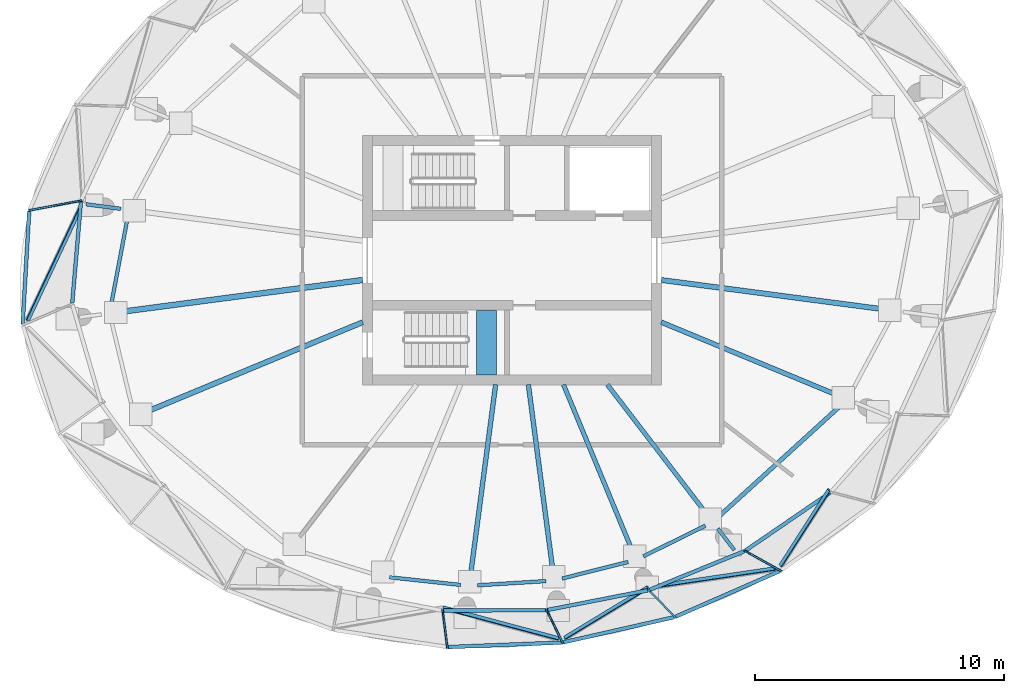
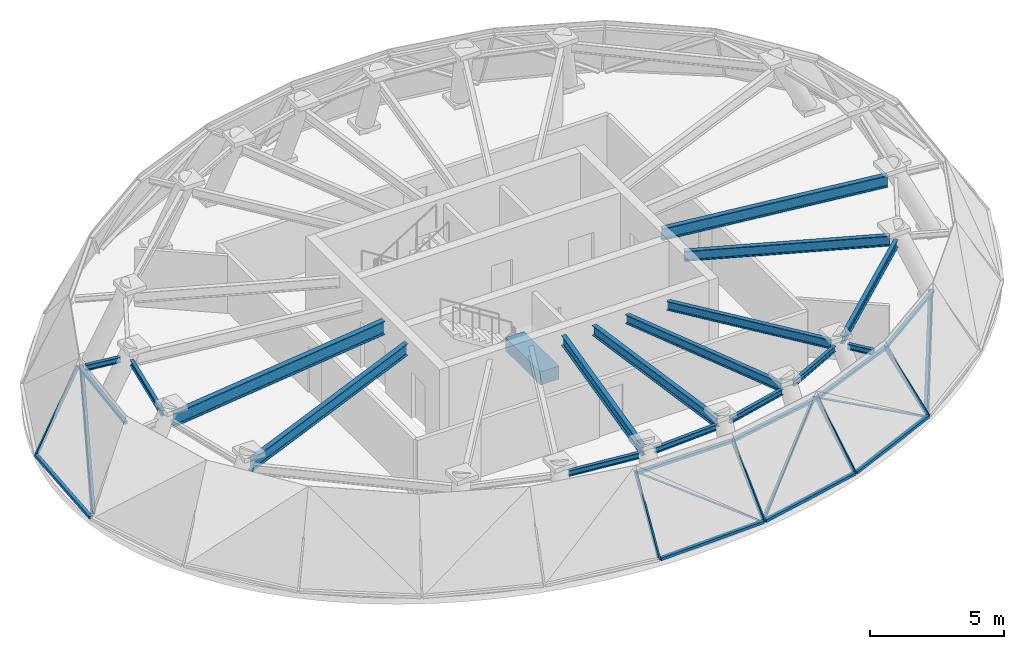
# One storey, part 2 of 9: 19 members, 17 beams, 10 elements without a shape of their own.
"""IFC4 building model written with IfcOpenShell, lengths in metres."""

from ifc_helpers import new_model, si_unit, direction, frame, origin, origin_2d, place, context, subcontext, project, spatial, rectangle, i_section, extrude, source, transform, mapped, material, layer, layer_set, material_profile, profile_set, type_object, element, aggregate, save


model = new_model("IFC4")

# Units and contexts
model_context = context("Model", 3, precision=1e-05, world=origin(), true_north=direction((0.0, 1.0)))
body_context = subcontext(model_context, "Body", "Model", "MODEL_VIEW")
ifc_project = project(units=[si_unit("LENGTHUNIT", "METRE"), si_unit("AREAUNIT", "SQUARE_METRE"), si_unit("VOLUMEUNIT", "CUBIC_METRE"), si_unit("PLANEANGLEUNIT", "RADIAN"), si_unit("MASSUNIT", "GRAM", prefix="KILO")], contexts=[model_context])

# Site, building, storey
site_placement = place(None, origin())
site = spatial("IfcSite", under=ifc_project, at=site_placement, CompositionType="ELEMENT")
building_placement = place(site_placement, origin())
building = spatial("IfcBuilding", under=site, at=building_placement, Name="Spindrift Exchange Tower", CompositionType="ELEMENT")
storey_placement = place(building_placement, frame((0.0, 0.0, 273.10009765625)))
storey = spatial("IfcBuildingStorey", under=building, at=storey_placement, Name="L67", CompositionType="ELEMENT", Elevation=273.10009765625)

# Beams
ifc_material_1 = material(Name="Steel Grade 300", Category="steel")
ifc_material_profile_1 = material_profile(ifc_material_1, i_section(OverallWidth=0.22802734375, OverallDepth=0.60693359375, WebThickness=0.01123046875, FlangeThickness=0.017333984375, FilletRadius=0.013916015625, at=origin_2d()), Name="610UB113")
ifc_profile_set_1 = profile_set([ifc_material_profile_1], Name="Steel Grade 300")
beam_type_1 = type_object("IfcBeamType", Name="Floor Beam 610UB113 Steel Grade 300", PredefinedType="BEAM", material=ifc_profile_set_1)
shared_shape_1 = source(origin(), body_context, "Body", "SweptSolid", [
    extrude(i_section(OverallWidth=0.22802734375, OverallDepth=0.60693359375, WebThickness=0.01123046875, FlangeThickness=0.017333984375, FilletRadius=0.013916015625, at=origin_2d()), origin(), (0.0, 0.0, 1.0), 9.9091796875),
])
beam_1_placement = place(storey_placement, frame((46.019775390625, 47.212646484375, 2.91650390625), z_axis=(-0.991444313465, -0.130530353936, 0.0), x_axis=(0.130530353936, -0.991444313465, 0.0)))
element("IfcBeam", 1, at=beam_1_placement, inside=storey, type_object=beam_type_1, Name="L67 radial beam R13A", PredefinedType="BEAM", context=body_context, shape_type="MappedRepresentation", body=[
    mapped(shared_shape_1, transform((0.0, 0.0, 0.0), scale=1.0)),
])
ifc_material_profile_2 = material_profile(ifc_material_1, i_section(OverallWidth=0.208984375, OverallDepth=0.532958984375, WebThickness=0.01025390625, FlangeThickness=0.015625, FilletRadius=0.013916015625, at=origin_2d()), Name="530UB92.4")
ifc_profile_set_2 = profile_set([ifc_material_profile_2], Name="Steel Grade 300")
beam_type_2 = type_object("IfcBeamType", Name="Floor Beam 530UB92.4 Steel Grade 300", PredefinedType="BEAM", material=ifc_profile_set_2)
shared_shape_2 = source(origin(), body_context, "Body", "SweptSolid", [
    extrude(i_section(OverallWidth=0.208984375, OverallDepth=0.532958984375, WebThickness=0.01025390625, FlangeThickness=0.015625, FilletRadius=0.013916015625, at=origin_2d()), origin(), (0.0, 0.0, 1.0), 9.5791015625),
])
beam_2_placement = place(storey_placement, frame((46.0185546875, 45.5224609375, 2.953369140625), z_axis=(-0.923877977405, -0.382687186701, 0.0), x_axis=(0.382687186701, -0.923877977405, 0.0)))
element("IfcBeam", 2, at=beam_2_placement, inside=storey, type_object=beam_type_2, Name="L67 radial beam R14A", PredefinedType="BEAM", context=body_context, shape_type="MappedRepresentation", body=[
    mapped(shared_shape_2, transform((0.0, 0.0, 0.0), scale=1.0)),
])
ifc_material_profile_3 = material_profile(ifc_material_1, i_section(OverallWidth=0.18994140625, OverallDepth=0.45703125, WebThickness=0.009033203125, FlangeThickness=0.014404296875, FilletRadius=0.013916015625, at=origin_2d()), Name="460UB74.6")
ifc_profile_set_3 = profile_set([ifc_material_profile_3], Name="Steel Grade 300")
beam_type_3 = type_object("IfcBeamType", Name="Floor Beam 460UB74.6 Steel Grade 300", PredefinedType="BEAM", material=ifc_profile_set_3)
shared_shape_3 = source(origin(), body_context, "Body", "SweptSolid", [
    extrude(i_section(OverallWidth=0.18994140625, OverallDepth=0.45703125, WebThickness=0.009033203125, FlangeThickness=0.014404296875, FilletRadius=0.013916015625, at=origin_2d()), origin(), (0.0, 0.0, 1.0), 7.80615234375),
])
beam_3_placement = place(storey_placement, frame((51.34423828125, 43.019775390625, 2.991455078125), z_axis=(-0.130510334624, -0.991446948937, 0.0), x_axis=(0.991446948937, -0.130510334624, 0.0)))
element("IfcBeam", 3, at=beam_3_placement, inside=storey, type_object=beam_type_3, Name="L67 radial beam R18A", PredefinedType="BEAM", context=body_context, shape_type="MappedRepresentation", body=[
    mapped(shared_shape_3, transform((0.0, 0.0, 0.0), scale=1.0)),
])
shared_shape_4 = source(origin(), body_context, "Body", "SweptSolid", [
    extrude(i_section(OverallWidth=0.18994140625, OverallDepth=0.45703125, WebThickness=0.009033203125, FlangeThickness=0.014404296875, FilletRadius=0.013916015625, at=origin_2d()), origin(), (0.0, 0.0, 1.0), 7.59326171875),
])
beam_4_placement = place(storey_placement, frame((52.65576171875, 43.019775390625, 2.991455078125), z_axis=(0.130506078601, -0.991447509174, 0.0), x_axis=(0.991447509174, 0.130506078601, 0.0)))
element("IfcBeam", 4, at=beam_4_placement, inside=storey, type_object=beam_type_3, Name="L67 radial beam R19A", PredefinedType="BEAM", context=body_context, shape_type="MappedRepresentation", body=[
    mapped(shared_shape_4, transform((0.0, 0.0, 0.0), scale=1.0)),
])
ifc_material_profile_4 = material_profile(ifc_material_1, i_section(OverallWidth=0.177978515625, OverallDepth=0.406005859375, WebThickness=0.0078125, FlangeThickness=0.0126953125, FilletRadius=0.013916015625, at=origin_2d()), Name="410UB59.7")
ifc_profile_set_4 = profile_set([ifc_material_profile_4], Name="Steel Grade 300")
beam_type_4 = type_object("IfcBeamType", Name="Floor Beam 410UB59.7 Steel Grade 300", PredefinedType="BEAM", material=ifc_profile_set_4)
shared_shape_5 = source(origin(), body_context, "Body", "SweptSolid", [
    extrude(i_section(OverallWidth=0.177978515625, OverallDepth=0.406005859375, WebThickness=0.0078125, FlangeThickness=0.0126953125, FilletRadius=0.013916015625, at=origin_2d()), origin(), (0.0, 0.0, 1.0), 7.2744140625),
])
beam_5_placement = place(storey_placement, frame((54.0634765625, 43.0185546875, 3.016845703125), z_axis=(0.382669941322, -0.923885120569, 0.0), x_axis=(0.923885120569, 0.382669941322, 0.0)))
element("IfcBeam", 5, at=beam_5_placement, inside=storey, type_object=beam_type_4, Name="L67 radial beam R20A", PredefinedType="BEAM", context=body_context, shape_type="MappedRepresentation", body=[
    mapped(shared_shape_5, transform((0.0, 0.0, 0.0), scale=1.0)),
])
shared_shape_6 = source(origin(), body_context, "Body", "SweptSolid", [
    extrude(i_section(OverallWidth=0.177978515625, OverallDepth=0.406005859375, WebThickness=0.0078125, FlangeThickness=0.0126953125, FilletRadius=0.013916015625, at=origin_2d()), origin(), (0.0, 0.0, 1.0), 6.6083984375),
])
beam_6_placement = place(storey_placement, frame((55.824462890625, 43.015869140625, 3.016845703125), z_axis=(0.608753358796, -0.793359532718, 0.0), x_axis=(0.793359532718, 0.608753358796, 0.0)))
element("IfcBeam", 6, at=beam_6_placement, inside=storey, type_object=beam_type_4, Name="L67 radial beam R21A", PredefinedType="BEAM", context=body_context, shape_type="MappedRepresentation", body=[
    mapped(shared_shape_6, transform((0.0, 0.0, 0.0), scale=1.0)),
])
ifc_material_profile_5 = material_profile(ifc_material_1, i_section(OverallWidth=0.14599609375, OverallDepth=0.251953125, WebThickness=0.006103515625, FlangeThickness=0.008544921875, FilletRadius=0.011962890625, at=origin_2d()), Name="250UB31.4")
ifc_profile_set_5 = profile_set([ifc_material_profile_5], Name="Steel Grade 300")
beam_type_5 = type_object("IfcBeamType", Name="Cantilever Beam 250UB31.4 Steel Grade 300", PredefinedType="BEAM", material=ifc_profile_set_5)
shared_shape_7 = source(origin(), body_context, "Body", "SweptSolid", [
    extrude(i_section(OverallWidth=0.14599609375, OverallDepth=0.251953125, WebThickness=0.006103515625, FlangeThickness=0.008544921875, FilletRadius=0.011962890625, at=origin_2d()), origin(), (0.0, 0.0, 1.0), 1.089111328125),
])
beam_7_placement = place(storey_placement, frame((60.249267578125, 37.24951171875, 3.093994140625), z_axis=(0.608572707445, -0.793498115784, 0.0), x_axis=(0.793498115784, 0.608572707445, 0.0)))
element("IfcBeam", 7, at=beam_7_placement, inside=storey, type_object=beam_type_5, Name="L67 cantilever beam R21T", PredefinedType="BEAM", context=body_context, shape_type="MappedRepresentation", body=[
    mapped(shared_shape_7, transform((0.0, 0.0, 0.0), scale=1.0)),
])
shared_shape_8 = source(origin(), body_context, "Body", "SweptSolid", [
    extrude(i_section(OverallWidth=0.18994140625, OverallDepth=0.45703125, WebThickness=0.009033203125, FlangeThickness=0.014404296875, FilletRadius=0.013916015625, at=origin_2d()), origin(), (0.0, 0.0, 1.0), 7.752685546875),
])
beam_8_placement = place(storey_placement, frame((57.9814453125, 45.5224609375, 2.991455078125), z_axis=(0.92388173133, -0.382678123905, 0.0), x_axis=(0.382678123905, 0.92388173133, 0.0)))
element("IfcBeam", 8, at=beam_8_placement, inside=storey, type_object=beam_type_3, Name="L67 radial beam R23A", PredefinedType="BEAM", context=body_context, shape_type="MappedRepresentation", body=[
    mapped(shared_shape_8, transform((0.0, 0.0, 0.0), scale=1.0)),
])
shared_shape_9 = source(origin(), body_context, "Body", "SweptSolid", [
    extrude(i_section(OverallWidth=0.208984375, OverallDepth=0.532958984375, WebThickness=0.01025390625, FlangeThickness=0.015625, FilletRadius=0.013916015625, at=origin_2d()), origin(), (0.0, 0.0, 1.0), 9.11962890625),
])
beam_9_placement = place(storey_placement, frame((57.980224609375, 47.212646484375, 2.953369140625), z_axis=(0.991443539969, -0.130536228895, 0.0), x_axis=(0.130536228895, 0.991443539969, 0.0)))
element("IfcBeam", 9, at=beam_9_placement, inside=storey, type_object=beam_type_2, Name="L67 radial beam R24A", PredefinedType="BEAM", context=body_context, shape_type="MappedRepresentation", body=[
    mapped(shared_shape_9, transform((0.0, 0.0, 0.0), scale=1.0)),
])
shared_shape_10 = source(origin(), body_context, "Body", "SweptSolid", [
    extrude(i_section(OverallWidth=0.14599609375, OverallDepth=0.251953125, WebThickness=0.006103515625, FlangeThickness=0.008544921875, FilletRadius=0.011962890625, at=origin_2d()), origin(), (0.0, 0.0, 1.0), 1.412841796875),
])
beam_10_placement = place(storey_placement, frame((36.323974609375, 50.063720703125, 3.093994140625), z_axis=(-0.991428984311, 0.130646733857, 0.0), x_axis=(-0.130646733857, -0.991428984311, 0.0)))
element("IfcBeam", 10, at=beam_10_placement, inside=storey, type_object=beam_type_5, Name="L67 cantilever beam R12T", PredefinedType="BEAM", context=body_context, shape_type="MappedRepresentation", body=[
    mapped(shared_shape_10, transform((0.0, 0.0, 0.0), scale=1.0)),
])
ifc_material_profile_6 = material_profile(ifc_material_1, i_section(OverallWidth=0.14599609375, OverallDepth=0.251953125, WebThickness=0.006103515625, FlangeThickness=0.008544921875, FilletRadius=0.011962890625, at=origin_2d()), Name="250UB31.4")
ifc_profile_set_6 = profile_set([ifc_material_profile_6], Name="Steel Grade 300")
beam_type_6 = type_object("IfcBeamType", Name="Edge Beam 250UB31.4 Steel Grade 300", PredefinedType="SPANDREL", material=ifc_profile_set_6)
shared_shape_11 = source(origin(), body_context, "Body", "SweptSolid", [
    extrude(i_section(OverallWidth=0.14599609375, OverallDepth=0.251953125, WebThickness=0.006103515625, FlangeThickness=0.008544921875, FilletRadius=0.011962890625, at=origin_2d()), origin(), (0.0, 0.0, 1.0), 2.889892578125),
])
beam_11_placement = place(storey_placement, frame((47.080810546875, 35.296875, 3.093994140625), z_axis=(0.994281954884, -0.106786676096, 0.0), x_axis=(0.106786676096, 0.994281954884, 0.0)))
element("IfcBeam", 11, at=beam_11_placement, inside=storey, type_object=beam_type_6, Name="L67 edge beam E17", PredefinedType="SPANDREL", context=body_context, shape_type="MappedRepresentation", body=[
    mapped(shared_shape_11, transform((0.0, 0.0, 0.0), scale=1.0)),
])
shared_shape_12 = source(origin(), body_context, "Body", "SweptSolid", [
    extrude(i_section(OverallWidth=0.14599609375, OverallDepth=0.251953125, WebThickness=0.006103515625, FlangeThickness=0.008544921875, FilletRadius=0.011962890625, at=origin_2d()), origin(), (0.0, 0.0, 1.0), 2.75390625),
])
beam_12_placement = place(storey_placement, frame((50.61181640625, 34.9736328125, 3.093994140625), z_axis=(0.998088973279, 0.061793214992, 0.0), x_axis=(-0.061793214992, 0.998088973279, 0.0)))
element("IfcBeam", 12, at=beam_12_placement, inside=storey, type_object=beam_type_6, Name="L67 edge beam E18", PredefinedType="SPANDREL", context=body_context, shape_type="MappedRepresentation", body=[
    mapped(shared_shape_12, transform((0.0, 0.0, 0.0), scale=1.0)),
])
shared_shape_13 = source(origin(), body_context, "Body", "SweptSolid", [
    extrude(i_section(OverallWidth=0.14599609375, OverallDepth=0.251953125, WebThickness=0.006103515625, FlangeThickness=0.008544921875, FilletRadius=0.011962890625, at=origin_2d()), origin(), (0.0, 0.0, 1.0), 2.7265625),
])
beam_13_placement = place(storey_placement, frame((54.009765625, 35.2451171875, 3.093994140625), z_axis=(0.969618824522, 0.244620798651, 0.0), x_axis=(-0.244620798651, 0.969618824522, 0.0)))
element("IfcBeam", 13, at=beam_13_placement, inside=storey, type_object=beam_type_6, Name="L67 edge beam E19", PredefinedType="SPANDREL", context=body_context, shape_type="MappedRepresentation", body=[
    mapped(shared_shape_13, transform((0.0, 0.0, 0.0), scale=1.0)),
])
shared_shape_14 = source(origin(), body_context, "Body", "SweptSolid", [
    extrude(i_section(OverallWidth=0.14599609375, OverallDepth=0.251953125, WebThickness=0.006103515625, FlangeThickness=0.008544921875, FilletRadius=0.011962890625, at=origin_2d()), origin(), (0.0, 0.0, 1.0), 2.769287109375),
])
beam_14_placement = place(storey_placement, frame((57.269287109375, 36.138916015625, 3.093994140625), z_axis=(0.896655192747, 0.442729562283, 0.0), x_axis=(-0.442729562283, 0.896655192747, 0.0)))
element("IfcBeam", 14, at=beam_14_placement, inside=storey, type_object=beam_type_6, Name="L67 edge beam E20", PredefinedType="SPANDREL", context=body_context, shape_type="MappedRepresentation", body=[
    mapped(shared_shape_14, transform((0.0, 0.0, 0.0), scale=1.0)),
])
ifc_material_profile_7 = material_profile(ifc_material_1, i_section(OverallWidth=0.172119140625, OverallDepth=0.35888671875, WebThickness=0.008056640625, FlangeThickness=0.012939453125, FilletRadius=0.013916015625, at=origin_2d()), Name="360UB56.7")
ifc_profile_set_7 = profile_set([ifc_material_profile_7], Name="Steel Grade 300")
beam_type_7 = type_object("IfcBeamType", Name="Edge Beam 360UB56.7 Steel Grade 300", PredefinedType="SPANDREL", material=ifc_profile_set_7)
shared_shape_15 = source(origin(), body_context, "Body", "SweptSolid", [
    extrude(i_section(OverallWidth=0.172119140625, OverallDepth=0.35888671875, WebThickness=0.008056640625, FlangeThickness=0.012939453125, FilletRadius=0.013916015625, at=origin_2d()), origin(), (0.0, 0.0, 1.0), 6.644287109375),
])
beam_15_placement = place(storey_placement, frame((60.292236328125, 37.7333984375, 3.040283203125), z_axis=(0.739367859185, 0.673301692263, 0.0), x_axis=(-0.673301692263, 0.739367859185, 0.0)))
element("IfcBeam", 15, at=beam_15_placement, inside=storey, type_object=beam_type_7, Name="L67 edge beam E21", PredefinedType="SPANDREL", context=body_context, shape_type="MappedRepresentation", body=[
    mapped(shared_shape_15, transform((0.0, 0.0, 0.0), scale=1.0)),
])
shared_shape_16 = source(origin(), body_context, "Body", "SweptSolid", [
    extrude(i_section(OverallWidth=0.14599609375, OverallDepth=0.251953125, WebThickness=0.006103515625, FlangeThickness=0.008544921875, FilletRadius=0.011962890625, at=origin_2d()), origin(), (0.0, 0.0, 1.0), 3.5576171875),
])
beam_16_placement = place(storey_placement, frame((36.58984375, 49.6962890625, 3.093994140625), z_axis=(-0.185626652558, -0.982620346757, 0.0), x_axis=(0.982620346757, -0.185626652558, 0.0)))
element("IfcBeam", 16, at=beam_16_placement, inside=storey, type_object=beam_type_6, Name="L67 edge beam E12", PredefinedType="SPANDREL", context=body_context, shape_type="MappedRepresentation", body=[
    mapped(shared_shape_16, transform((0.0, 0.0, 0.0), scale=1.0)),
])

# Curtain wall, member
ifc_material_2 = material(Name="Fritted laminated glass with bronze frame", Category="glass")
ifc_layer = layer(ifc_material_2, 0.14990234375)
ifc_layer_set = layer_set([ifc_layer], Name="CROWN BRONZE RAKED GLAZED WALL")
curtain_wall_type = type_object("IfcCurtainWallType", Name="CROWN BRONZE RAKED GLAZED WALL", PredefinedType="NOTDEFINED", material=ifc_layer_set)
curtain_wall_1_placement = place(storey_placement, origin())
curtain_wall_1 = element("IfcCurtainWall", 17, at=curtain_wall_1_placement, inside=storey, type_object=curtain_wall_type, Name="L67 Crown Bronze Raked Glazed Wall facet 39", PredefinedType="NOTDEFINED")
ifc_material_3 = material(Name="Bronze anodised aluminium", Category="aluminium")
ifc_material_profile_8 = material_profile(ifc_material_3, rectangle(XDim=0.14990234375, YDim=0.1201171875, at=origin_2d()), Name="CROWN BRONZE RAKED GLAZED WALL TRANSOM 150X120")
ifc_profile_set_8 = profile_set([ifc_material_profile_8], Name="Bronze anodised aluminium")
member_type_1 = type_object("IfcMemberType", Name="CROWN BRONZE RAKED GLAZED WALL TRANSOM 150X120", PredefinedType="USERDEFINED", material=ifc_profile_set_8)
shared_shape_17 = source(origin(), body_context, "Body", "SweptSolid", [
    extrude(rectangle(XDim=0.14990234375, YDim=0.1201171875, at=origin_2d()), origin(), (0.0, 0.0, 1.0), 4.552734375),
])
member_1_placement = place(storey_placement, frame((62.734619140625, 35.54541015625, 0.059814453125), z_axis=(-0.915959076249, -0.401271691796, 0.0), x_axis=(0.401271691796, -0.915959076249, 0.0)))
member_1 = element("IfcMember", 18, at=member_1_placement, type_object=member_type_1, Name="L67 transom CW-R.20a", ObjectType="TRANSOM", PredefinedType="USERDEFINED", context=body_context, shape_type="MappedRepresentation", body=[
    mapped(shared_shape_17, transform((0.0, 0.0, 0.0), scale=1.0)),
])

curtain_wall_2_placement = place(storey_placement, origin())
curtain_wall_2 = element("IfcCurtainWall", 19, at=curtain_wall_2_placement, inside=storey, type_object=curtain_wall_type, Name="L67 Crown Bronze Raked Glazed Wall facet 35", PredefinedType="NOTDEFINED")
shared_shape_18 = source(origin(), body_context, "Body", "SweptSolid", [
    extrude(rectangle(XDim=0.14990234375, YDim=0.1201171875, at=origin_2d()), origin(), (0.0, 0.0, 1.0), 4.553955078125),
])
member_2_placement = place(storey_placement, frame((53.98828125, 32.6796875, 0.059814453125), z_axis=(-0.999221211639, -0.03945846184, 0.0), x_axis=(0.03945846184, -0.999221211639, 0.0)))
member_2 = element("IfcMember", 20, at=member_2_placement, type_object=member_type_1, Name="L67 transom CW-R.18a", ObjectType="TRANSOM", PredefinedType="USERDEFINED", context=body_context, shape_type="MappedRepresentation", body=[
    mapped(shared_shape_18, transform((0.0, 0.0, 0.0), scale=1.0)),
])

curtain_wall_3_placement = place(storey_placement, origin())
curtain_wall_3 = element("IfcCurtainWall", 21, at=curtain_wall_3_placement, inside=storey, type_object=curtain_wall_type, Name="L67 Crown Bronze Raked Glazed Wall facet 37", PredefinedType="NOTDEFINED")
member_3_placement = place(storey_placement, frame((54.057373046875, 32.688720703125, 0.059814453125), z_axis=(0.975203376257, 0.221310584782, 0.0), x_axis=(-0.221310584782, 0.975203376257, 0.0)))
member_3 = element("IfcMember", 22, at=member_3_placement, type_object=member_type_1, Name="L67 transom CW-R.19a", ObjectType="TRANSOM", PredefinedType="USERDEFINED", context=body_context, shape_type="MappedRepresentation", body=[
    mapped(shared_shape_18, transform((0.0, 0.0, 0.0), scale=1.0)),
])

curtain_wall_4_placement = place(storey_placement, origin())
curtain_wall_4 = element("IfcCurtainWall", 23, at=curtain_wall_4_placement, inside=storey, type_object=curtain_wall_type, Name="L67 Crown Bronze Raked Glazed Wall facet 23", PredefinedType="NOTDEFINED")
shared_shape_19 = source(origin(), body_context, "Body", "SweptSolid", [
    extrude(rectangle(XDim=0.14990234375, YDim=0.1201171875, at=origin_2d()), origin(), (0.0, 0.0, 1.0), 4.533447265625),
])
member_4_placement = place(storey_placement, frame((32.384765625, 45.44384765625, 0.059814453125), z_axis=(0.057891740308, 0.998322866814, 0.0), x_axis=(-0.998322866814, 0.057891740308, 0.0)))
member_4 = element("IfcMember", 24, at=member_4_placement, type_object=member_type_1, Name="L67 transom CW-R.12a", ObjectType="TRANSOM", PredefinedType="USERDEFINED", context=body_context, shape_type="MappedRepresentation", body=[
    mapped(shared_shape_19, transform((0.0, 0.0, 0.0), scale=1.0)),
])

curtain_wall_5_placement = place(storey_placement, origin())
curtain_wall_5 = element("IfcCurtainWall", 25, at=curtain_wall_5_placement, inside=storey, type_object=curtain_wall_type, Name="L67 Crown Bronze Raked Glazed Wall facet 24", PredefinedType="NOTDEFINED")
shared_shape_20 = source(origin(), body_context, "Body", "SweptSolid", [
    extrude(rectangle(XDim=0.14990234375, YDim=0.1201171875, at=origin_2d()), origin(), (0.0, 0.0, 1.0), 4.083740234375),
])
member_5_placement = place(storey_placement, frame((34.373779296875, 46.286865234375, 3.159912109375), z_axis=(0.085133222011, 0.99636957727, 0.0), x_axis=(-0.99636957727, 0.085133222011, 0.0)))
member_5 = element("IfcMember", 26, at=member_5_placement, type_object=member_type_1, Name="L67 transom CW-R.12b", ObjectType="TRANSOM", PredefinedType="USERDEFINED", context=body_context, shape_type="MappedRepresentation", body=[
    mapped(shared_shape_20, transform((0.0, 0.0, 0.0), scale=1.0)),
])

curtain_wall_6_placement = place(storey_placement, origin())
curtain_wall_6 = element("IfcCurtainWall", 27, at=curtain_wall_6_placement, inside=storey, type_object=curtain_wall_type, Name="L67 Crown Bronze Raked Glazed Wall facet 42", PredefinedType="NOTDEFINED")
shared_shape_21 = source(origin(), body_context, "Body", "SweptSolid", [
    extrude(rectangle(XDim=0.14990234375, YDim=0.1201171875, at=origin_2d()), origin(), (0.0, 0.0, 1.0), 4.097900390625),
])
member_6_placement = place(storey_placement, frame((61.372802734375, 36.375, 3.159912109375), z_axis=(0.825102616768, 0.564982895141, 0.0), x_axis=(-0.564982895141, 0.825102616768, 0.0)))
member_6 = element("IfcMember", 28, at=member_6_placement, type_object=member_type_1, Name="L67 transom CW-R.21b", ObjectType="TRANSOM", PredefinedType="USERDEFINED", context=body_context, shape_type="MappedRepresentation", body=[
    mapped(shared_shape_21, transform((0.0, 0.0, 0.0), scale=1.0)),
])

curtain_wall_7_placement = place(storey_placement, origin())
curtain_wall_7 = element("IfcCurtainWall", 29, at=curtain_wall_7_placement, inside=storey, type_object=curtain_wall_type, Name="L67 Crown Bronze Raked Glazed Wall facet 40", PredefinedType="NOTDEFINED")
shared_shape_22 = source(origin(), body_context, "Body", "SweptSolid", [
    extrude(rectangle(XDim=0.14990234375, YDim=0.1201171875, at=origin_2d()), origin(), (0.0, 0.0, 1.0), 4.099609375),
])
member_7_placement = place(storey_placement, frame((61.3115234375, 36.342041015625, 3.159912109375), z_axis=(-0.92589185911, -0.377788651543, 0.0), x_axis=(0.377788651543, -0.92589185911, 0.0)))
member_7 = element("IfcMember", 30, at=member_7_placement, type_object=member_type_1, Name="L67 transom CW-R.20b", ObjectType="TRANSOM", PredefinedType="USERDEFINED", context=body_context, shape_type="MappedRepresentation", body=[
    mapped(shared_shape_22, transform((0.0, 0.0, 0.0), scale=1.0)),
])

curtain_wall_8_placement = place(storey_placement, origin())
curtain_wall_8 = element("IfcCurtainWall", 31, at=curtain_wall_8_placement, inside=storey, type_object=curtain_wall_type, Name="L67 Crown Bronze Raked Glazed Wall facet 36", PredefinedType="NOTDEFINED")
shared_shape_23 = source(origin(), body_context, "Body", "SweptSolid", [
    extrude(rectangle(XDim=0.14990234375, YDim=0.1201171875, at=origin_2d()), origin(), (0.0, 0.0, 1.0), 4.100341796875),
])
member_8_placement = place(storey_placement, frame((53.35498046875, 33.9794921875, 3.159912109375), z_axis=(-0.999989490439, -0.004584649644, 0.0), x_axis=(0.004584649644, -0.999989490439, 0.0)))
member_8 = element("IfcMember", 32, at=member_8_placement, type_object=member_type_1, Name="L67 transom CW-R.18b", ObjectType="TRANSOM", PredefinedType="USERDEFINED", context=body_context, shape_type="MappedRepresentation", body=[
    mapped(shared_shape_23, transform((0.0, 0.0, 0.0), scale=1.0)),
])

curtain_wall_9_placement = place(storey_placement, origin())
curtain_wall_9 = element("IfcCurtainWall", 33, at=curtain_wall_9_placement, inside=storey, type_object=curtain_wall_type, Name="L67 Crown Bronze Raked Glazed Wall facet 38", PredefinedType="NOTDEFINED")
member_9_placement = place(storey_placement, frame((53.424560546875, 33.986328125, 3.159912109375), z_axis=(0.981414356528, 0.191900653467, 0.0), x_axis=(-0.191900653467, 0.981414356528, 0.0)))
member_9 = element("IfcMember", 34, at=member_9_placement, type_object=member_type_1, Name="L67 transom CW-R.19b", ObjectType="TRANSOM", PredefinedType="USERDEFINED", context=body_context, shape_type="MappedRepresentation", body=[
    mapped(shared_shape_23, transform((0.0, 0.0, 0.0), scale=1.0)),
])

# Member
ifc_material_profile_9 = material_profile(ifc_material_3, rectangle(XDim=0.070068359375, YDim=0.14990234375, at=origin_2d()), Name="CROWN BRONZE RAKED GLAZED WALL MULLION 70X150")
ifc_profile_set_9 = profile_set([ifc_material_profile_9], Name="Bronze anodised aluminium")
member_type_2 = type_object("IfcMemberType", Name="CROWN BRONZE RAKED GLAZED WALL MULLION 70X150", PredefinedType="MULLION", material=ifc_profile_set_9)
shared_shape_24 = source(origin(), body_context, "Body", "SweptSolid", [
    extrude(rectangle(XDim=0.070068359375, YDim=0.14990234375, at=origin_2d()), origin(), (0.0, 0.0, 1.0), 3.47265625),
])
member_10_placement = place(storey_placement, frame((49.4013671875, 32.5126953125, 0.031005859375), z_axis=(-0.051815150488, 0.412833872, 0.909331284136), x_axis=(-0.99221536078, -0.124533842114, 0.0)))
member_10 = element("IfcMember", 35, at=member_10_placement, type_object=member_type_2, Name="L67 mullion CW-R.18", PredefinedType="MULLION", context=body_context, shape_type="MappedRepresentation", body=[
    mapped(shared_shape_24, transform((0.0, 0.0, 0.0), scale=1.0)),
])

aggregate(curtain_wall_2, [member_2, member_10])

shared_shape_25 = source(origin(), body_context, "Body", "SweptSolid", [
    extrude(rectangle(XDim=0.070068359375, YDim=0.14990234375, at=origin_2d()), origin(), (0.0, 0.0, 1.0), 5.691650390625),
])
member_11_placement = place(storey_placement, frame((53.857177734375, 32.842529296875, 0.062744140625), z_axis=(-0.811021414393, 0.216063620051, 0.543655016979), x_axis=(-0.584983431508, -0.309392514477, -0.749713716592)))
member_11 = element("IfcMember", 36, at=member_11_placement, type_object=member_type_2, Name="L67 glazing bar CW-R.18", PredefinedType="MULLION", context=body_context, shape_type="MappedRepresentation", body=[
    mapped(shared_shape_25, transform((0.0, 0.0, 0.0), scale=1.0)),
])

aggregate(curtain_wall_8, [member_8, member_11])

shared_shape_26 = source(origin(), body_context, "Body", "SweptSolid", [
    extrude(rectangle(XDim=0.070068359375, YDim=0.14990234375, at=origin_2d()), origin(), (0.0, 0.0, 1.0), 3.462158203125),
])
member_12_placement = place(storey_placement, frame((54.017333984375, 32.693359375, 0.030517578125), z_axis=(-0.179467431051, 0.367961121895, 0.912357415691), x_axis=(-0.898793275814, -0.438372726514, 0.0)))
member_12 = element("IfcMember", 37, at=member_12_placement, type_object=member_type_2, Name="L67 mullion CW-R.19", PredefinedType="MULLION", context=body_context, shape_type="MappedRepresentation", body=[
    mapped(shared_shape_26, transform((0.0, 0.0, 0.0), scale=1.0)),
])

aggregate(curtain_wall_9, [member_9, member_12])

shared_shape_27 = source(origin(), body_context, "Body", "SweptSolid", [
    extrude(rectangle(XDim=0.070068359375, YDim=0.14990234375, at=origin_2d()), origin(), (0.0, 0.0, 1.0), 4.98291015625),
])
member_13_placement = place(storey_placement, frame((54.110595703125, 32.864990234375, 0.05859375), z_axis=(0.669040987966, 0.405834236787, 0.622641733803), x_axis=(-0.714101825065, 0.118791166839, 0.689889297004)))
member_13 = element("IfcMember", 38, at=member_13_placement, type_object=member_type_2, Name="L67 glazing bar CW-R.19", PredefinedType="MULLION", context=body_context, shape_type="MappedRepresentation", body=[
    mapped(shared_shape_27, transform((0.0, 0.0, 0.0), scale=1.0)),
])

aggregate(curtain_wall_3, [member_3, member_13])

shared_shape_28 = source(origin(), body_context, "Body", "SweptSolid", [
    extrude(rectangle(XDim=0.070068359375, YDim=0.14990234375, at=origin_2d()), origin(), (0.0, 0.0, 1.0), 3.4833984375),
])
member_14_placement = place(storey_placement, frame((58.522216796875, 33.715087890625, 0.031494140625), z_axis=(-0.295337527857, 0.302626351516, 0.906197018318), x_axis=(-0.715672825908, -0.698435685126, 0.0)))
member_14 = element("IfcMember", 39, at=member_14_placement, type_object=member_type_2, Name="L67 mullion CW-R.20", PredefinedType="MULLION", context=body_context, shape_type="MappedRepresentation", body=[
    mapped(shared_shape_28, transform((0.0, 0.0, 0.0), scale=1.0)),
])

aggregate(curtain_wall_1, [member_1, member_14])

shared_shape_29 = source(origin(), body_context, "Body", "SweptSolid", [
    extrude(rectangle(XDim=0.070068359375, YDim=0.14990234375, at=origin_2d()), origin(), (0.0, 0.0, 1.0), 5.9873046875),
])
member_15_placement = place(storey_placement, frame((62.54052734375, 35.64208984375, 0.064208984375), z_axis=(-0.847208819783, -0.124979305609, 0.51635006425), x_axis=(-0.399507397795, -0.490785378643, -0.774289061796)))
member_15 = element("IfcMember", 40, at=member_15_placement, type_object=member_type_2, Name="L67 glazing bar CW-R.20", PredefinedType="MULLION", context=body_context, shape_type="MappedRepresentation", body=[
    mapped(shared_shape_29, transform((0.0, 0.0, 0.0), scale=1.0)),
])

aggregate(curtain_wall_7, [member_7, member_15])

shared_shape_30 = source(origin(), body_context, "Body", "SweptSolid", [
    extrude(rectangle(XDim=0.070068359375, YDim=0.14990234375, at=origin_2d()), origin(), (0.0, 0.0, 1.0), 3.533203125),
])
member_16_placement = place(storey_placement, frame((62.751708984375, 35.56787109375, 0.03369140625), z_axis=(-0.394199658736, 0.220489239444, 0.892183346819), x_axis=(-0.488160762017, -0.872753728395, 0.0)))
member_16 = element("IfcMember", 41, at=member_16_placement, type_object=member_type_2, Name="L67 mullion CW-R.21", PredefinedType="MULLION", context=body_context, shape_type="MappedRepresentation", body=[
    mapped(shared_shape_30, transform((0.0, 0.0, 0.0), scale=1.0)),
])

aggregate(curtain_wall_6, [member_6, member_16])

# Curtain wall, member
curtain_wall_10_placement = place(storey_placement, origin())
curtain_wall_10 = element("IfcCurtainWall", 42, at=curtain_wall_10_placement, inside=storey, type_object=curtain_wall_type, Name="L67 Crown Bronze Raked Glazed Wall facet 41", PredefinedType="NOTDEFINED")
shared_shape_31 = source(origin(), body_context, "Body", "SweptSolid", [
    extrude(rectangle(XDim=0.070068359375, YDim=0.14990234375, at=origin_2d()), origin(), (0.0, 0.0, 1.0), 4.76123046875),
])
member_17_placement = place(storey_placement, frame((62.7646484375, 35.75830078125, 0.056640625), z_axis=(0.408523295784, 0.638295216006, 0.652447648494), x_axis=(-0.7356177977, -0.192927687148, 0.649342254315)))
member_17 = element("IfcMember", 43, at=member_17_placement, type_object=member_type_2, Name="L67 glazing bar CW-R.21", PredefinedType="MULLION", context=body_context, shape_type="MappedRepresentation", body=[
    mapped(shared_shape_31, transform((0.0, 0.0, 0.0), scale=1.0)),
])
aggregate(curtain_wall_10, [member_17])

# Member
shared_shape_32 = source(origin(), body_context, "Body", "SweptSolid", [
    extrude(rectangle(XDim=0.070068359375, YDim=0.14990234375, at=origin_2d()), origin(), (0.0, 0.0, 1.0), 3.751708984375),
])
member_18_placement = place(storey_placement, frame((32.67578125, 50.009521484375, 0.041015625), z_axis=(0.53899849127, 0.100277275751, 0.836316384137), x_axis=(-0.182905248236, 0.983130545842, 0.0)))
member_18 = element("IfcMember", 44, at=member_18_placement, type_object=member_type_2, Name="L67 mullion CW-R.12", PredefinedType="MULLION", context=body_context, shape_type="MappedRepresentation", body=[
    mapped(shared_shape_32, transform((0.0, 0.0, 0.0), scale=1.0)),
])

aggregate(curtain_wall_4, [member_4, member_18])

shared_shape_33 = source(origin(), body_context, "Body", "SweptSolid", [
    extrude(rectangle(XDim=0.070068359375, YDim=0.14990234375, at=origin_2d()), origin(), (0.0, 0.0, 1.0), 6.12060546875),
])
member_19_placement = place(storey_placement, frame((32.585693359375, 45.597900390625, 0.064697265625), z_axis=(0.367168862721, 0.781166214832, 0.504941948201), x_axis=(-0.353042447331, 0.619274093482, -0.701327760413)))
member_19 = element("IfcMember", 45, at=member_19_placement, type_object=member_type_2, Name="L67 glazing bar CW-R.12", PredefinedType="MULLION", context=body_context, shape_type="MappedRepresentation", body=[
    mapped(shared_shape_33, transform((0.0, 0.0, 0.0), scale=1.0)),
])

aggregate(curtain_wall_5, [member_5, member_19])

# Beam
ifc_material_4 = material(Name="Concrete 40 MPa", Category="concrete")
ifc_material_profile_10 = material_profile(ifc_material_4, rectangle(XDim=0.800048828125, YDim=0.60009765625, at=origin_2d()), Name="RC 800x600")
ifc_profile_set_10 = profile_set([ifc_material_profile_10], Name="Concrete 40 MPa")
beam_type_8 = type_object("IfcBeamType", Name="RC Landing Beam 800x600 Concrete 40 MPa", PredefinedType="BEAM", material=ifc_profile_set_10)
shared_shape_34 = source(origin(), body_context, "Body", "SweptSolid", [
    extrude(rectangle(XDim=0.800048828125, YDim=0.60009765625, at=origin_2d()), origin(), (0.0, 0.0, 1.0), 2.59912109375),
])
beam_17_placement = place(storey_placement, frame((50.969970703125, 43.400390625, 1.25), z_axis=(0.0, 1.0, 0.0), x_axis=(-1.0, 0.0, 0.0)))
element("IfcBeam", 46, at=beam_17_placement, inside=storey, type_object=beam_type_8, Name="ST4 landing beam L67", PredefinedType="BEAM", context=body_context, shape_type="MappedRepresentation", body=[
    mapped(shared_shape_34, transform((0.0, 0.0, 0.0), scale=1.0)),
])

save(model, "model.ifc")
